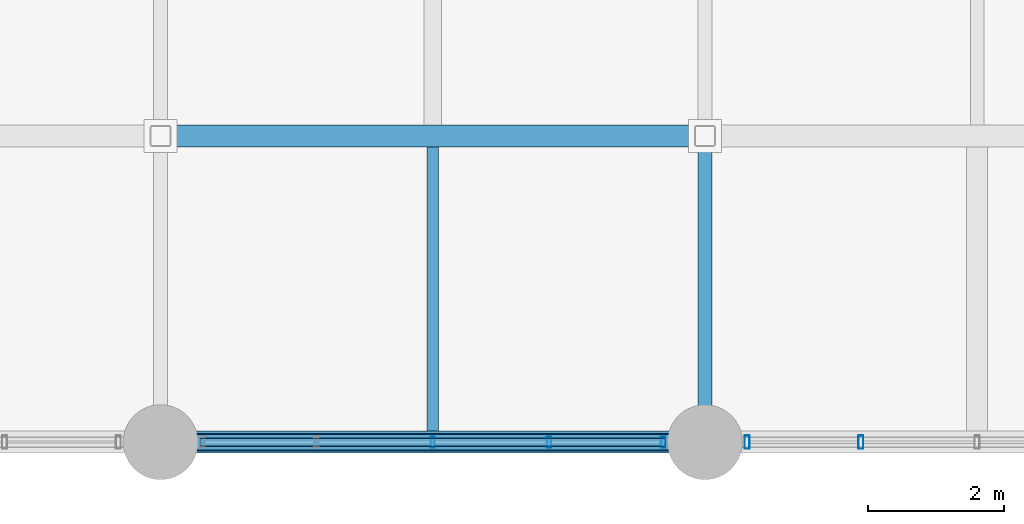
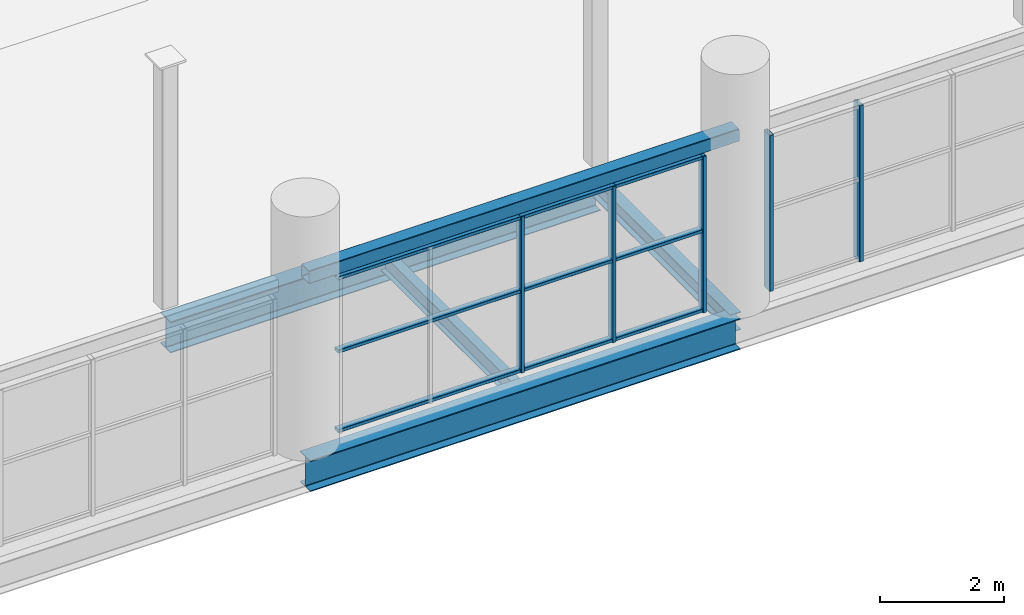
# One storey, part 30 of 114: 8 members, 5 beams, 2 elements without a shape of their own.
"""IFC4 building model written with IfcOpenShell, lengths in metres."""

from ifc_helpers import new_model, si_unit, direction, frame, origin, origin_2d, place, context, subcontext, project, spatial, hollow_rectangle, i_section, extrude, material, material_profile, profile_set, type_object, element, aggregate, save


model = new_model("IFC4")

# Units and contexts
model_context = context("Model", 3, precision=1e-05, world=origin(), true_north=direction((0.0, 1.0)))
body_context = subcontext(model_context, "Body", "Model", "MODEL_VIEW")
ifc_project = project(units=[si_unit("LENGTHUNIT", "METRE"), si_unit("AREAUNIT", "SQUARE_METRE"), si_unit("VOLUMEUNIT", "CUBIC_METRE"), si_unit("PLANEANGLEUNIT", "RADIAN"), si_unit("MASSUNIT", "GRAM", prefix="KILO")], contexts=[model_context])

# Site, building, storey
site_placement = place(None, origin())
site = spatial("IfcSite", under=ifc_project, at=site_placement, CompositionType="ELEMENT")
building_placement = place(site_placement, origin())
building = spatial("IfcBuilding", under=site, at=building_placement, Name="Verrall Gate Interchange", CompositionType="ELEMENT")
storey_placement = place(building_placement, frame((0.0, 0.0, 6.60009765625)))
storey = spatial("IfcBuildingStorey", under=building, at=storey_placement, Name="L02", CompositionType="ELEMENT", Elevation=6.60009765625)

# Beams
ifc_material_1 = material(Name="Structural Steel CSA G40.21 350WT Cat 4", Category="steel")
ifc_material_profile_1 = material_profile(ifc_material_1, i_section(OverallWidth=0.323974609375, OverallDepth=0.611083984375, WebThickness=0.0126953125, FlangeThickness=0.01904296875, FilletRadius=0.014892578125, at=origin_2d()), Name="W610x155")
ifc_profile_set_1 = profile_set([ifc_material_profile_1], Name="Structural Steel CSA G40.21 350WT Cat 4")
beam_type_1 = type_object("IfcBeamType", Name="B-08 Structural Beam W610x155", PredefinedType="BEAM", material=ifc_profile_set_1)
for number, where, z_axis, x_axis, name in (
    (1, (84.0, 0.0, -0.585693359375), (1.0, 0.0, 0.0), (0.0, 1.0, 0.0), "L02 Girder BM-L02-1447 (B-08)"),
    (2, (84.0, 4.5, -0.585693359375), (1.0, 0.0, 0.0), (0.0, 1.0, 0.0), "L02 Girder BM-L02-1463 (B-08)"),
):
    element("IfcBeam", number, at=place(storey_placement, frame(where, z_axis=z_axis, x_axis=x_axis)), inside=storey, type_object=beam_type_1, Name=name, PredefinedType="BEAM", context=body_context, shape_type="SweptSolid", body=[
        extrude(i_section(OverallWidth=0.323974609375, OverallDepth=0.611083984375, WebThickness=0.0126953125, FlangeThickness=0.01904296875, FilletRadius=0.014892578125, at=origin_2d()), origin(), (0.0, 0.0, 1.0), 8.0),
    ])
ifc_material_2 = material(Name="Structural Steel CSA G40.21 350W", Category="steel")
ifc_material_profile_2 = material_profile(ifc_material_2, i_section(OverallWidth=0.205078125, OverallDepth=0.35400390625, WebThickness=0.009521484375, FlangeThickness=0.016845703125, FilletRadius=0.012939453125, at=origin_2d()), Name="W360x79")
ifc_profile_set_2 = profile_set([ifc_material_profile_2], Name="Structural Steel CSA G40.21 350W")
beam_type_2 = type_object("IfcBeamType", Name="B-14 Structural Beam W360x79", PredefinedType="BEAM", material=ifc_profile_set_2)
beam_1_placement = place(storey_placement, frame((92.0, 0.0, -0.45703125), z_axis=(0.0, 1.0, 0.0), x_axis=(-1.0, 0.0, 0.0)))
element("IfcBeam", 3, at=beam_1_placement, inside=storey, type_object=beam_type_2, Name="L02 Girder BM-L02-1761 (B-14)", PredefinedType="BEAM", context=body_context, shape_type="SweptSolid", body=[
    extrude(i_section(OverallWidth=0.205078125, OverallDepth=0.35400390625, WebThickness=0.009521484375, FlangeThickness=0.016845703125, FilletRadius=0.012939453125, at=origin_2d()), origin(), (0.0, 0.0, 1.0), 4.5),
])

# Curtain wall, members
ifc_material_3 = material(Name="Thermally Broken Anodized Aluminium Curtain Wall Framing", Category="aluminium")
curtain_wall_type = type_object("IfcCurtainWallType", Name="CW-14 Unitized Curtain Wall 6836x3070", PredefinedType="NOTDEFINED", material=ifc_material_3)
curtain_wall_1_placement = place(storey_placement, origin())
curtain_wall_1 = element("IfcCurtainWall", 4, at=curtain_wall_1_placement, inside=storey, type_object=curtain_wall_type, Name="L02 Unitized Curtain Wall CW-L02-058", PredefinedType="NOTDEFINED")
ifc_material_4 = material(Name="Thermally Broken Anodized Aluminium Curtain Wall Framing", Category="aluminium")
ifc_material_profile_3 = material_profile(ifc_material_4, hollow_rectangle(XDim=0.06494140625, YDim=0.159912109375, WallThickness=0.00390625, InnerFilletRadius=0.00390625, OuterFilletRadius=0.008056640625, at=origin_2d()), Name="CWM160x65x4")
ifc_profile_set_3 = profile_set([ifc_material_profile_3], Name="Thermally Broken Anodized Aluminium Curtain Wall Framing")
member_type_1 = type_object("IfcMemberType", Name="CM-01 Curtain Mullion CWM160x65x4", PredefinedType="MULLION", material=ifc_profile_set_3)
member_1_placement = place(storey_placement, frame((88.0, 0.0, 0.0), z_axis=(0.0, 0.0, 1.0), x_axis=(1.0, 0.0, 0.0)))
member_1 = element("IfcMember", 5, at=member_1_placement, type_object=member_type_1, Name="CW-L02-058 Mullion 3", PredefinedType="MULLION", context=body_context, shape_type="SweptSolid", body=[
    extrude(hollow_rectangle(XDim=0.06494140625, YDim=0.159912109375, WallThickness=0.00390625, InnerFilletRadius=0.00390625, OuterFilletRadius=0.008056640625, at=origin_2d()), origin(), (0.0, 0.0, 1.0), 3.06982421875),
])
member_2_placement = place(storey_placement, frame((89.708984375, 0.0, 0.0), z_axis=(0.0, 0.0, 1.0), x_axis=(1.0, 0.0, 0.0)))
member_2 = element("IfcMember", 6, at=member_2_placement, type_object=member_type_1, Name="CW-L02-058 Mullion 4", PredefinedType="MULLION", context=body_context, shape_type="SweptSolid", body=[
    extrude(hollow_rectangle(XDim=0.06494140625, YDim=0.159912109375, WallThickness=0.00390625, InnerFilletRadius=0.00390625, OuterFilletRadius=0.008056640625, at=origin_2d()), origin(), (0.0, 0.0, 1.0), 3.06982421875),
])
member_3_placement = place(storey_placement, frame((91.385498046875, 0.0, 0.0), z_axis=(0.0, 0.0, 1.0), x_axis=(1.0, 0.0, 0.0)))
member_3 = element("IfcMember", 7, at=member_3_placement, type_object=member_type_1, Name="CW-L02-058 Mullion 5", PredefinedType="MULLION", context=body_context, shape_type="SweptSolid", body=[
    extrude(hollow_rectangle(XDim=0.06494140625, YDim=0.159912109375, WallThickness=0.00390625, InnerFilletRadius=0.00390625, OuterFilletRadius=0.008056640625, at=origin_2d()), origin(), (0.0, 0.0, 1.0), 3.06982421875),
])

curtain_wall_2_placement = place(storey_placement, origin())
curtain_wall_2 = element("IfcCurtainWall", 8, at=curtain_wall_2_placement, inside=storey, type_object=curtain_wall_type, Name="L02 Unitized Curtain Wall CW-L02-059", PredefinedType="NOTDEFINED")
ifc_material_5 = material(Name="Thermally Broken Anodized Aluminium Curtain Wall Framing", Category="aluminium")
ifc_material_profile_4 = material_profile(ifc_material_5, hollow_rectangle(XDim=0.074951171875, YDim=0.199951171875, WallThickness=0.0048828125, InnerFilletRadius=0.0048828125, OuterFilletRadius=0.010009765625, at=origin_2d()), Name="CWM200x75x5")
ifc_profile_set_4 = profile_set([ifc_material_profile_4], Name="Thermally Broken Anodized Aluminium Curtain Wall Framing")
member_type_2 = type_object("IfcMemberType", Name="CM-02 Curtain Mullion CWM200x75x5", PredefinedType="MULLION", material=ifc_profile_set_4)
member_4_placement = place(storey_placement, frame((92.619384765625, 0.0, 0.0), z_axis=(0.0, 0.0, 1.0), x_axis=(1.0, 0.0, 0.0)))
member_4 = element("IfcMember", 9, at=member_4_placement, type_object=member_type_2, Name="CW-L02-059 Mullion 1", PredefinedType="MULLION", context=body_context, shape_type="SweptSolid", body=[
    extrude(hollow_rectangle(XDim=0.074951171875, YDim=0.199951171875, WallThickness=0.0048828125, InnerFilletRadius=0.0048828125, OuterFilletRadius=0.010009765625, at=origin_2d()), origin(), (0.0, 0.0, 1.0), 3.06982421875),
])
member_5_placement = place(storey_placement, frame((94.291015625, 0.0, 0.0), z_axis=(0.0, 0.0, 1.0), x_axis=(1.0, 0.0, 0.0)))
member_5 = element("IfcMember", 10, at=member_5_placement, type_object=member_type_2, Name="CW-L02-059 Mullion 2", PredefinedType="MULLION", context=body_context, shape_type="SweptSolid", body=[
    extrude(hollow_rectangle(XDim=0.074951171875, YDim=0.199951171875, WallThickness=0.0048828125, InnerFilletRadius=0.0048828125, OuterFilletRadius=0.010009765625, at=origin_2d()), origin(), (0.0, 0.0, 1.0), 3.06982421875),
])
aggregate(curtain_wall_2, [member_4, member_5])

# Member
ifc_material_6 = material(Name="Thermally Broken Anodized Aluminium Curtain Wall Framing", Category="aluminium")
ifc_material_profile_5 = material_profile(ifc_material_6, hollow_rectangle(XDim=0.1201171875, YDim=0.06494140625, WallThickness=0.00390625, InnerFilletRadius=0.00390625, OuterFilletRadius=0.008056640625, at=origin_2d()), Name="CWT120x65x4")
ifc_profile_set_5 = profile_set([ifc_material_profile_5], Name="Thermally Broken Anodized Aluminium Curtain Wall Framing")
member_type_3 = type_object("IfcMemberType", Name="CT-01 Curtain Transom CWT120x65x4", PredefinedType="USERDEFINED", material=ifc_profile_set_5)
member_6_placement = place(storey_placement, frame((84.58203125, 0.0, 0.032470703125), z_axis=(1.0, 0.0, 0.0), x_axis=(0.0, 1.0, 0.0)))
member_6 = element("IfcMember", 11, at=member_6_placement, type_object=member_type_3, Name="CW-L02-058 Transom 1", ObjectType="TRANSOM", PredefinedType="USERDEFINED", context=body_context, shape_type="SweptSolid", body=[
    extrude(hollow_rectangle(XDim=0.1201171875, YDim=0.06494140625, WallThickness=0.00390625, InnerFilletRadius=0.00390625, OuterFilletRadius=0.008056640625, at=origin_2d()), origin(), (0.0, 0.0, 1.0), 6.8359375),
])

member_7_placement = place(storey_placement, frame((84.58203125, 0.0, 1.59619140625), z_axis=(1.0, 0.0, 0.0), x_axis=(0.0, 1.0, 0.0)))
member_7 = element("IfcMember", 12, at=member_7_placement, type_object=member_type_3, Name="CW-L02-058 Transom 2", ObjectType="TRANSOM", PredefinedType="USERDEFINED", context=body_context, shape_type="SweptSolid", body=[
    extrude(hollow_rectangle(XDim=0.1201171875, YDim=0.06494140625, WallThickness=0.00390625, InnerFilletRadius=0.00390625, OuterFilletRadius=0.008056640625, at=origin_2d()), origin(), (0.0, 0.0, 1.0), 6.8359375),
])

member_8_placement = place(storey_placement, frame((84.58203125, 0.0, 3.037353515625), z_axis=(1.0, 0.0, 0.0), x_axis=(0.0, 1.0, 0.0)))
member_8 = element("IfcMember", 13, at=member_8_placement, type_object=member_type_3, Name="CW-L02-058 Transom 3", ObjectType="TRANSOM", PredefinedType="USERDEFINED", context=body_context, shape_type="SweptSolid", body=[
    extrude(hollow_rectangle(XDim=0.1201171875, YDim=0.06494140625, WallThickness=0.00390625, InnerFilletRadius=0.00390625, OuterFilletRadius=0.008056640625, at=origin_2d()), origin(), (0.0, 0.0, 1.0), 6.8359375),
])

aggregate(curtain_wall_1, [member_1, member_2, member_3, member_6, member_7, member_8])

# Beams
ifc_material_7 = material(Name="Structural Steel CSA G40.21 350W", Category="steel")
ifc_material_profile_6 = material_profile(ifc_material_7, i_section(OverallWidth=0.172119140625, OverallDepth=0.35791015625, WebThickness=0.0078125, FlangeThickness=0.01318359375, FilletRadius=0.010986328125, at=origin_2d()), Name="W360x57")
ifc_profile_set_6 = profile_set([ifc_material_profile_6], Name="Structural Steel CSA G40.21 350W")
beam_type_3 = type_object("IfcBeamType", Name="J-01 Floor Joist W360x57", PredefinedType="JOIST", material=ifc_profile_set_6)
beam_2_placement = place(storey_placement, frame((88.0, 0.162109375, -0.458984375), z_axis=(0.0, 1.0, 0.0), x_axis=(-1.0, 0.0, 0.0)))
element("IfcBeam", 14, at=beam_2_placement, inside=storey, type_object=beam_type_3, Name="L02 Secondary Floor Joist JST-L02-1850", PredefinedType="JOIST", context=body_context, shape_type="SweptSolid", body=[
    extrude(i_section(OverallWidth=0.172119140625, OverallDepth=0.35791015625, WebThickness=0.0078125, FlangeThickness=0.01318359375, FilletRadius=0.010986328125, at=origin_2d()), origin(), (0.0, 0.0, 1.0), 4.17578125),
])
ifc_material_8 = material(Name="Structural Steel CSA G40.21 350W", Category="steel")
ifc_material_profile_7 = material_profile(ifc_material_8, hollow_rectangle(XDim=0.25390625, YDim=0.25390625, WallThickness=0.009521484375, InnerFilletRadius=0.009521484375, OuterFilletRadius=0.01904296875, at=origin_2d()), Name="HSS254x254x9.5")
ifc_profile_set_7 = profile_set([ifc_material_profile_7], Name="Structural Steel CSA G40.21 350W")
beam_type_4 = type_object("IfcBeamType", Name="LN-03 Portal Lintel HSS254x254x9.5", PredefinedType="LINTEL", material=ifc_profile_set_7)
beam_3_placement = place(storey_placement, frame((84.0, 0.0, 3.2998046875), z_axis=(1.0, 0.0, 0.0), x_axis=(0.0, 1.0, 0.0)))
element("IfcBeam", 15, at=beam_3_placement, inside=storey, type_object=beam_type_4, Name="Classical Portal Lintel 031", PredefinedType="LINTEL", context=body_context, shape_type="SweptSolid", body=[
    extrude(hollow_rectangle(XDim=0.25390625, YDim=0.25390625, WallThickness=0.009521484375, InnerFilletRadius=0.009521484375, OuterFilletRadius=0.01904296875, at=origin_2d()), origin(), (0.0, 0.0, 1.0), 8.0),
])

save(model, "model.ifc")
